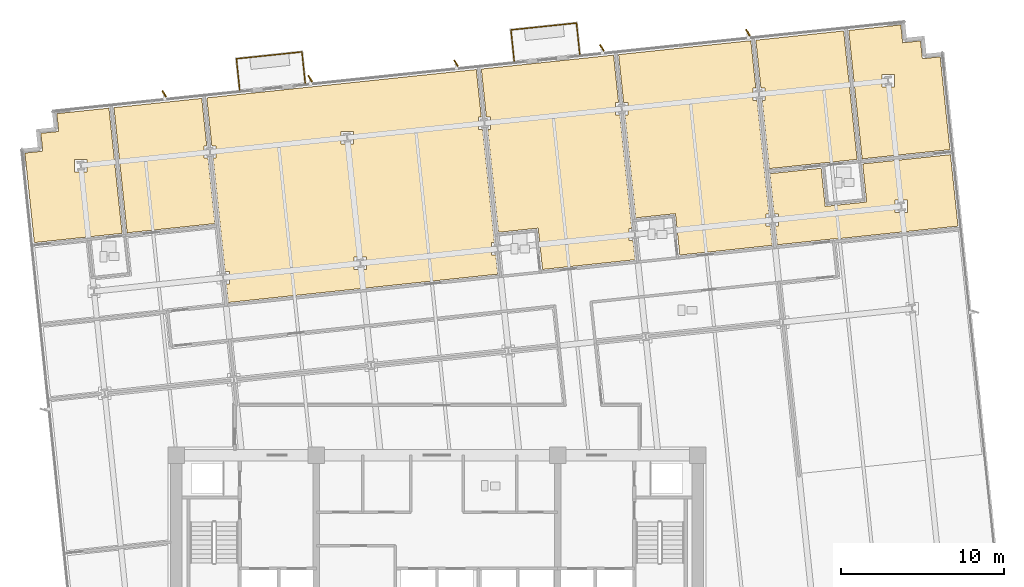
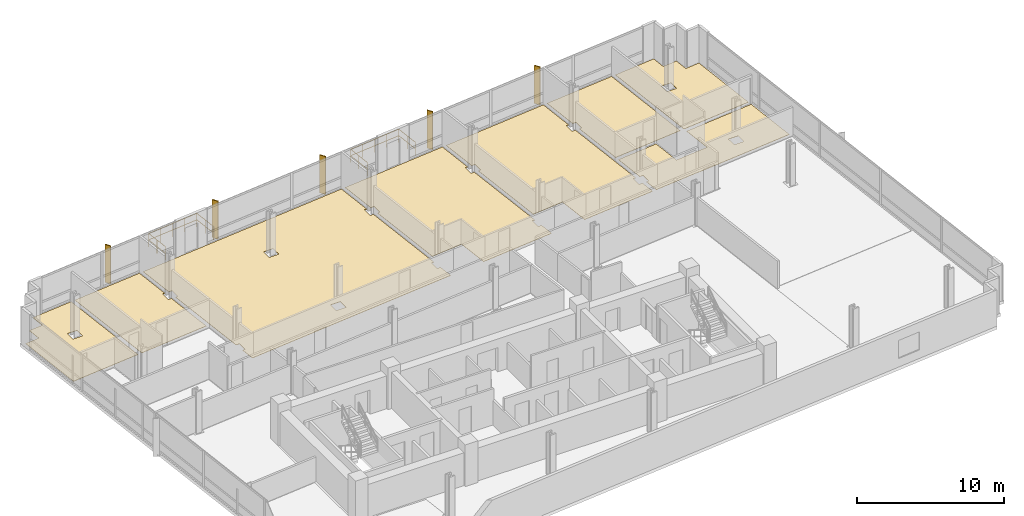
# One storey, part 17 of 18: 8 coverings, 6 railings, 5 shading devices.
"""IFC4 building model written with IfcOpenShell, lengths in metres."""

from ifc_helpers import new_model, si_unit, direction, frame, origin, origin_2d, place, context, subcontext, project, spatial, polyline, rectangle, circle, outline, extrude, material, layer, layer_set, type_object, element, save


model = new_model("IFC4")

# Units and contexts
model_context = context("Model", 3, precision=1e-05, world=origin(), true_north=direction((0.0, 1.0)))
body_context = subcontext(model_context, "Body", "Model", "MODEL_VIEW")
ifc_project = project(units=[si_unit("LENGTHUNIT", "METRE"), si_unit("AREAUNIT", "SQUARE_METRE"), si_unit("VOLUMEUNIT", "CUBIC_METRE"), si_unit("PLANEANGLEUNIT", "RADIAN"), si_unit("MASSUNIT", "GRAM", prefix="KILO")], contexts=[model_context])

# Site, building, storey
site_placement = place(None, origin())
site = spatial("IfcSite", under=ifc_project, at=site_placement, CompositionType="ELEMENT")
building_placement = place(site_placement, origin())
building = spatial("IfcBuilding", under=site, at=building_placement, Name="Solmavex Isthmus Hotel", CompositionType="ELEMENT")
storey_placement = place(building_placement, frame((0.0, 0.0, 127.050048828125)))
storey = spatial("IfcBuildingStorey", under=building, at=storey_placement, Name="L34", CompositionType="ELEMENT", Elevation=127.050048828125)

# Coverings
ifc_material_1 = material(Name="Travertine natural stone", Category="masonry")
ifc_layer_1 = layer(ifc_material_1, 0.02490234375)
ifc_layer_set_1 = layer_set([ifc_layer_1], Name="Travertine natural stone")
covering_type = type_object("IfcCoveringType", Name="COV-FLOR-STN", PredefinedType="FLOORING", material=ifc_layer_set_1)
covering_1_placement = place(storey_placement, origin())
element("IfcCovering", 1, at=covering_1_placement, inside=storey, type_object=covering_type, Name="Stone and Timber Floor Finish L34-TB01", PredefinedType="FLOORING", context=body_context, shape_type="SweptSolid", body=[
    extrude(outline(polyline([(-25.276123046875, 16.030029296875), (-25.18994140625, 15.20947265625), (-24.698974609375, 10.538330078125), (-19.314453125, 11.104248046875), (-20.121826171875, 18.783935546875), (-22.49755859375, 18.5341796875), (-23.318115234375, 18.447998046875), (-23.203125, 17.35400390625), (-24.297119140625, 17.239013671875), (-24.18212890625, 16.14501953125), (-25.276123046875, 16.030029296875)]), holes=[polyline([(-22.231689453125, 14.878662109375), (-22.231689453125, 15.638671875), (-21.4716796875, 15.638671875), (-21.4716796875, 14.878662109375), (-22.231689453125, 14.878662109375)])]), origin(), (0.0, 0.0, 1.0), 0.02490234375),
])
covering_2_placement = place(storey_placement, origin())
element("IfcCovering", 2, at=covering_2_placement, inside=storey, type_object=covering_type, Name="Stone and Timber Floor Finish L34-TL01", PredefinedType="FLOORING", context=body_context, shape_type="SweptSolid", body=[
    extrude(outline(polyline([(-14.043212890625, 15.711669921875), (-14.307373046875, 15.711669921875), (-14.307373046875, 16.4716796875), (-14.123291015625, 16.4716796875), (-14.42919921875, 19.38232421875), (-19.8134765625, 18.81640625), (-19.00634765625, 11.13671875), (-13.621826171875, 11.70263671875), (-14.043212890625, 15.711669921875)])), origin(), (0.0, 0.0, 1.0), 0.02490234375),
])
covering_3_placement = place(storey_placement, origin())
element("IfcCovering", 3, at=covering_3_placement, inside=storey, type_object=covering_type, Name="Stone and Timber Floor Finish L34-RM02", PredefinedType="FLOORING", context=body_context, shape_type="SweptSolid", body=[
    extrude(outline(polyline([(-13.001220703125, 8.76220703125), (-12.737060546875, 8.76220703125), (-12.737060546875, 8.002197265625), (-12.92138671875, 8.002197265625), (-12.8017578125, 6.86376953125), (3.729248046875, 8.601318359375), (3.606201171875, 9.77197265625), (3.34228515625, 9.77197265625), (3.34228515625, 10.531982421875), (3.5263671875, 10.531982421875), (2.7958984375, 17.4814453125), (2.53173828125, 17.4814453125), (2.53173828125, 18.241455078125), (2.716064453125, 18.241455078125), (2.41015625, 21.152099609375), (-14.120849609375, 19.41455078125), (-13.927978515625, 17.5810546875), (-13.8115234375, 16.4716796875), (-13.54736328125, 16.4716796875), (-13.54736328125, 15.711669921875), (-13.731689453125, 15.711669921875), (-13.001220703125, 8.76220703125)]), holes=[polyline([(-5.077392578125, 8.886962890625), (-5.077392578125, 9.64697265625), (-4.3173828125, 9.64697265625), (-4.3173828125, 8.886962890625), (-5.077392578125, 8.886962890625)]), polyline([(-5.8876953125, 17.356689453125), (-5.127685546875, 17.356689453125), (-5.127685546875, 16.5966796875), (-5.8876953125, 16.5966796875), (-5.8876953125, 17.356689453125)])]), origin(), (0.0, 0.0, 1.0), 0.02490234375),
])
covering_4_placement = place(storey_placement, origin())
element("IfcCovering", 4, at=covering_4_placement, inside=storey, type_object=covering_type, Name="Stone and Timber Floor Finish L34-RM03", PredefinedType="FLOORING", context=body_context, shape_type="SweptSolid", body=[
    extrude(outline(polyline([(3.02783203125, 18.241455078125), (3.291748046875, 18.241455078125), (3.291748046875, 17.4814453125), (3.107666015625, 17.4814453125), (3.77099609375, 11.169677734375), (6.20751953125, 11.42578125), (6.47412109375, 8.8896484375), (6.9794921875, 8.94287109375), (9.28173828125, 9.184814453125), (12.14892578125, 9.486083984375), (12.02587890625, 10.656982421875), (11.76171875, 10.656982421875), (11.76171875, 11.4169921875), (11.946044921875, 11.4169921875), (11.215576171875, 18.366455078125), (10.951416015625, 18.366455078125), (10.951416015625, 19.12646484375), (11.1357421875, 19.12646484375), (10.829833984375, 22.037109375), (2.718505859375, 21.1845703125), (2.99609375, 18.542236328125), (3.02783203125, 18.241455078125)])), origin(), (0.0, 0.0, 1.0), 0.02490234375),
])
covering_5_placement = place(storey_placement, origin())
element("IfcCovering", 5, at=covering_5_placement, inside=storey, type_object=covering_type, Name="Stone and Timber Floor Finish L34-RM04", PredefinedType="FLOORING", context=body_context, shape_type="SweptSolid", body=[
    extrude(outline(polyline([(11.447509765625, 19.12646484375), (11.71142578125, 19.12646484375), (11.71142578125, 18.366455078125), (11.52734375, 18.366455078125), (11.865234375, 15.15185546875), (12.190673828125, 12.0546875), (14.627197265625, 12.310791015625), (14.893798828125, 9.774658203125), (20.568603515625, 10.37109375), (20.445556640625, 11.541748046875), (20.181396484375, 11.541748046875), (20.181396484375, 12.3017578125), (20.36572265625, 12.3017578125), (19.63525390625, 19.25146484375), (19.37109375, 19.25146484375), (19.37109375, 20.011474609375), (19.555419921875, 20.011474609375), (19.24951171875, 22.921875), (11.13818359375, 22.0693359375), (11.447509765625, 19.12646484375)])), origin(), (0.0, 0.0, 1.0), 0.02490234375),
])
covering_6_placement = place(storey_placement, origin())
element("IfcCovering", 6, at=covering_6_placement, inside=storey, type_object=covering_type, Name="Stone and Timber Floor Finish L34-SH05-LV", PredefinedType="FLOORING", context=body_context, shape_type="SweptSolid", body=[
    extrude(outline(polyline([(23.56494140625, 15.09814453125), (20.418212890625, 14.767578125), (20.67724609375, 12.3017578125), (20.94140625, 12.3017578125), (20.94140625, 11.541748046875), (20.75732421875, 11.541748046875), (20.876953125, 10.403564453125), (24.45703125, 10.77978515625), (24.459228515625, 10.760009765625), (31.955810546875, 11.5478515625), (31.4951171875, 15.931640625), (26.11083984375, 15.36572265625), (26.3564453125, 13.028564453125), (23.810546875, 12.760986328125), (23.56494140625, 15.09814453125)]), holes=[polyline([(28.105712890625, 12.374755859375), (28.105712890625, 13.134765625), (28.86572265625, 13.134765625), (28.86572265625, 12.374755859375), (28.105712890625, 12.374755859375)])]), origin(), (0.0, 0.0, 1.0), 0.02490234375),
])
covering_7_placement = place(storey_placement, origin())
element("IfcCovering", 7, at=covering_7_placement, inside=storey, type_object=covering_type, Name="Stone and Timber Floor Finish L34-HB05", PredefinedType="FLOORING", context=body_context, shape_type="SweptSolid", body=[
    extrude(outline(polyline([(19.866943359375, 20.011474609375), (20.131103515625, 20.011474609375), (20.131103515625, 19.25146484375), (19.947021484375, 19.25146484375), (20.3857421875, 15.07568359375), (25.77001953125, 15.6416015625), (24.942138671875, 23.520263671875), (19.5576171875, 22.954345703125), (19.866943359375, 20.011474609375)])), origin(), (0.0, 0.0, 1.0), 0.02490234375),
])
covering_8_placement = place(storey_placement, origin())
element("IfcCovering", 8, at=covering_8_placement, inside=storey, type_object=covering_type, Name="Stone and Timber Floor Finish L34-HP05", PredefinedType="FLOORING", context=body_context, shape_type="SweptSolid", body=[
    extrude(outline(polyline([(30.950927734375, 21.110107421875), (30.86474609375, 21.9306640625), (29.770751953125, 21.815673828125), (29.65576171875, 22.90966796875), (28.561767578125, 22.794677734375), (28.44677734375, 23.888671875), (27.626220703125, 23.802490234375), (25.250244140625, 23.552734375), (26.078369140625, 15.674072265625), (31.462646484375, 16.239990234375), (30.950927734375, 21.110107421875)]), holes=[polyline([(27.29541015625, 20.84423828125), (28.055419921875, 20.84423828125), (28.055419921875, 20.084228515625), (27.29541015625, 20.084228515625), (27.29541015625, 20.84423828125)])]), origin(), (0.0, 0.0, 1.0), 0.02490234375),
])

# Railings
ifc_material_2 = material(Name="Clear low-E laminated glass", Category="glass")
ifc_layer_2 = layer(ifc_material_2, 0.070068359375)
ifc_layer_set_2 = layer_set([ifc_layer_2], Name="Clear low-E laminated glass")
railing_type = type_object("IfcRailingType", Name="RAIL-GUARD-1100", PredefinedType="BALUSTRADE", material=ifc_layer_set_2)
railing_1_placement = place(storey_placement, frame((-12.102783203125, 19.9033203125, 0.0)))
element("IfcRailing", 9, at=railing_1_placement, inside=storey, type_object=railing_type, Name="Guardrail Balustrade L34-BAL1-01", PredefinedType="BALUSTRADE", context=body_context, shape_type="SweptSolid", body=[
    extrude(circle(Radius=0.02392578125, at=origin_2d()), frame((0.0, 0.0, 1.09619140625), z_axis=(-0.104525919671, 0.994522162708, 0.0), x_axis=(-0.994522162708, -0.104525919671, 0.0)), (0.0, 0.0, 1.0), 1.919921875),
    extrude(circle(Radius=0.02392578125, at=origin_2d()), frame((0.0, 0.0, 0.56005859375), z_axis=(-0.104525919671, 0.994522162708, 0.0), x_axis=(-0.994522162708, -0.104525919671, 0.0)), (0.0, 0.0, 1.0), 1.919921875),
    extrude(circle(Radius=0.02099609375, at=origin_2d()), origin(), (0.0, 0.0, 1.0), 1.072021484375),
    extrude(circle(Radius=0.02099609375, at=origin_2d()), frame((-0.100341796875, 0.95458984375, 0.0)), (0.0, 0.0, 1.0), 1.072021484375),
    extrude(circle(Radius=0.02099609375, at=origin_2d()), frame((-0.20068359375, 1.909423828125, 0.0)), (0.0, 0.0, 1.0), 1.072021484375),
])
railing_2_placement = place(storey_placement, frame((-12.303466796875, 21.812744140625, 0.0)))
element("IfcRailing", 10, at=railing_2_placement, inside=storey, type_object=railing_type, Name="Guardrail Balustrade L34-BAL1-02", PredefinedType="BALUSTRADE", context=body_context, shape_type="SweptSolid", body=[
    extrude(circle(Radius=0.02392578125, at=origin_2d()), frame((0.0, 0.0, 1.09619140625), z_axis=(0.994520013058, 0.104546370699, 0.0), x_axis=(-0.104546370699, 0.994520013058, 0.0)), (0.0, 0.0, 1.0), 4.0400390625),
    extrude(circle(Radius=0.02392578125, at=origin_2d()), frame((0.0, 0.0, 0.56005859375), z_axis=(0.994520013058, 0.104546370699, 0.0), x_axis=(-0.104546370699, 0.994520013058, 0.0)), (0.0, 0.0, 1.0), 4.0400390625),
    extrude(circle(Radius=0.02099609375, at=origin_2d()), origin(), (0.0, 0.0, 1.0), 1.072021484375),
    extrude(circle(Radius=0.02099609375, at=origin_2d()), frame((1.00439453125, 0.10546875, 0.0)), (0.0, 0.0, 1.0), 1.072021484375),
    extrude(circle(Radius=0.02099609375, at=origin_2d()), frame((2.0087890625, 0.211181640625, 0.0)), (0.0, 0.0, 1.0), 1.072021484375),
    extrude(circle(Radius=0.02099609375, at=origin_2d()), frame((3.013427734375, 0.31689453125, 0.0)), (0.0, 0.0, 1.0), 1.072021484375),
    extrude(circle(Radius=0.02099609375, at=origin_2d()), frame((4.017822265625, 0.42236328125, 0.0)), (0.0, 0.0, 1.0), 1.072021484375),
])
railing_3_placement = place(storey_placement, frame((-8.28564453125, 22.235107421875, 0.0)))
element("IfcRailing", 11, at=railing_3_placement, inside=storey, type_object=railing_type, Name="Guardrail Balustrade L34-BAL1-03", PredefinedType="BALUSTRADE", context=body_context, shape_type="SweptSolid", body=[
    extrude(circle(Radius=0.02392578125, at=origin_2d()), frame((0.0, 0.0, 1.09619140625), z_axis=(0.104512702575, -0.994523551758, 0.0), x_axis=(0.994523551758, 0.104512702575, 0.0)), (0.0, 0.0, 1.0), 1.920166015625),
    extrude(circle(Radius=0.02392578125, at=origin_2d()), frame((0.0, 0.0, 0.56005859375), z_axis=(0.104512702575, -0.994523551758, 0.0), x_axis=(0.994523551758, 0.104512702575, 0.0)), (0.0, 0.0, 1.0), 1.920166015625),
    extrude(circle(Radius=0.02099609375, at=origin_2d()), origin(), (0.0, 0.0, 1.0), 1.072021484375),
    extrude(circle(Radius=0.02099609375, at=origin_2d()), frame((0.100341796875, -0.954833984375, 0.0)), (0.0, 0.0, 1.0), 1.072021484375),
    extrude(circle(Radius=0.02099609375, at=origin_2d()), frame((0.20068359375, -1.90966796875, 0.0)), (0.0, 0.0, 1.0), 1.072021484375),
])
railing_4_placement = place(storey_placement, frame((4.736328125, 21.673095703125, 0.0)))
element("IfcRailing", 12, at=railing_4_placement, inside=storey, type_object=railing_type, Name="Guardrail Balustrade L34-BAL2-01", PredefinedType="BALUSTRADE", context=body_context, shape_type="SweptSolid", body=[
    extrude(circle(Radius=0.02392578125, at=origin_2d()), frame((0.0, 0.0, 1.09619140625), z_axis=(-0.104525919671, 0.994522162708, 0.0), x_axis=(-0.994522162708, -0.104525919671, 0.0)), (0.0, 0.0, 1.0), 1.919921875),
    extrude(circle(Radius=0.02392578125, at=origin_2d()), frame((0.0, 0.0, 0.56005859375), z_axis=(-0.104525919671, 0.994522162708, 0.0), x_axis=(-0.994522162708, -0.104525919671, 0.0)), (0.0, 0.0, 1.0), 1.919921875),
    extrude(circle(Radius=0.02099609375, at=origin_2d()), origin(), (0.0, 0.0, 1.0), 1.072021484375),
    extrude(circle(Radius=0.02099609375, at=origin_2d()), frame((-0.100341796875, 0.95458984375, 0.0)), (0.0, 0.0, 1.0), 1.072021484375),
    extrude(circle(Radius=0.02099609375, at=origin_2d()), frame((-0.20068359375, 1.909423828125, 0.0)), (0.0, 0.0, 1.0), 1.072021484375),
])
railing_5_placement = place(storey_placement, frame((4.53564453125, 23.58251953125, 0.0)))
element("IfcRailing", 13, at=railing_5_placement, inside=storey, type_object=railing_type, Name="Guardrail Balustrade L34-BAL2-02", PredefinedType="BALUSTRADE", context=body_context, shape_type="SweptSolid", body=[
    extrude(circle(Radius=0.02392578125, at=origin_2d()), frame((0.0, 0.0, 1.09619140625), z_axis=(0.994520673511, 0.10454008781, 0.0), x_axis=(-0.10454008781, 0.994520673511, 0.0)), (0.0, 0.0, 1.0), 4.040283203125),
    extrude(circle(Radius=0.02392578125, at=origin_2d()), frame((0.0, 0.0, 0.56005859375), z_axis=(0.994520673511, 0.10454008781, 0.0), x_axis=(-0.10454008781, 0.994520673511, 0.0)), (0.0, 0.0, 1.0), 4.040283203125),
    extrude(circle(Radius=0.02099609375, at=origin_2d()), origin(), (0.0, 0.0, 1.0), 1.072021484375),
    extrude(circle(Radius=0.02099609375, at=origin_2d()), frame((1.00439453125, 0.10546875, 0.0)), (0.0, 0.0, 1.0), 1.072021484375),
    extrude(circle(Radius=0.02099609375, at=origin_2d()), frame((2.009033203125, 0.211181640625, 0.0)), (0.0, 0.0, 1.0), 1.072021484375),
    extrude(circle(Radius=0.02099609375, at=origin_2d()), frame((3.013671875, 0.31689453125, 0.0)), (0.0, 0.0, 1.0), 1.072021484375),
    extrude(circle(Radius=0.02099609375, at=origin_2d()), frame((4.01806640625, 0.42236328125, 0.0)), (0.0, 0.0, 1.0), 1.072021484375),
])
railing_6_placement = place(storey_placement, frame((8.5537109375, 24.0048828125, 0.0)))
element("IfcRailing", 14, at=railing_6_placement, inside=storey, type_object=railing_type, Name="Guardrail Balustrade L34-BAL2-03", PredefinedType="BALUSTRADE", context=body_context, shape_type="SweptSolid", body=[
    extrude(circle(Radius=0.02392578125, at=origin_2d()), frame((0.0, 0.0, 1.09619140625), z_axis=(0.104525919671, -0.994522162708, 0.0), x_axis=(0.994522162708, 0.104525919671, 0.0)), (0.0, 0.0, 1.0), 1.919921875),
    extrude(circle(Radius=0.02392578125, at=origin_2d()), frame((0.0, 0.0, 0.56005859375), z_axis=(0.104525919671, -0.994522162708, 0.0), x_axis=(0.994522162708, 0.104525919671, 0.0)), (0.0, 0.0, 1.0), 1.919921875),
    extrude(circle(Radius=0.02099609375, at=origin_2d()), origin(), (0.0, 0.0, 1.0), 1.072021484375),
    extrude(circle(Radius=0.02099609375, at=origin_2d()), frame((0.100341796875, -0.95458984375, 0.0)), (0.0, 0.0, 1.0), 1.072021484375),
    extrude(circle(Radius=0.02099609375, at=origin_2d()), frame((0.20068359375, -1.909423828125, 0.0)), (0.0, 0.0, 1.0), 1.072021484375),
])

# Shading devices
ifc_material_3 = material(Name="Aluminium alloy 6063-T6", Category="aluminium")
shading_device_type = type_object("IfcShadingDeviceType", Name="SHD-FIN-BRONZE", PredefinedType="USERDEFINED", material=ifc_material_3)
for number, where, z_axis, x_axis, name in (
    (15, (-16.7333984375, 19.657958984375, -0.14013671875), (0.0, 0.0, 1.0), (-0.529919264233, 0.848048096156, 0.0), "Anodised Aluminium Solar Fin L34-N1"),
    (16, (-7.78271484375, 20.5986328125, -0.14013671875), (0.0, 0.0, 1.0), (-0.529919264233, 0.848048096156, 0.0), "Anodised Aluminium Solar Fin L34-N2"),
    (17, (1.16796875, 21.539306640625, -0.14013671875), (0.0, 0.0, 1.0), (-0.529919264233, 0.848048096156, 0.0), "Anodised Aluminium Solar Fin L34-N3"),
    (18, (10.11865234375, 22.480224609375, -0.14013671875), (0.0, 0.0, 1.0), (-0.529919264233, 0.848048096156, 0.0), "Anodised Aluminium Solar Fin L34-N4"),
    (19, (19.0693359375, 23.4208984375, -0.14013671875), (0.0, 0.0, 1.0), (-0.529919264233, 0.848048096156, 0.0), "Anodised Aluminium Solar Fin L34-N5"),
):
    element("IfcShadingDevice", number, at=place(storey_placement, frame(where, z_axis=z_axis, x_axis=x_axis)), inside=storey, type_object=shading_device_type, Name=name, ObjectType="SOLAR_FIN", PredefinedType="USERDEFINED", context=body_context, shape_type="SweptSolid", body=[
        extrude(rectangle(XDim=0.449951171875, YDim=0.080078125, at=origin_2d()), origin(), (0.0, 0.0, 1.0), 3.139892578125),
    ])

save(model, "model.ifc")
